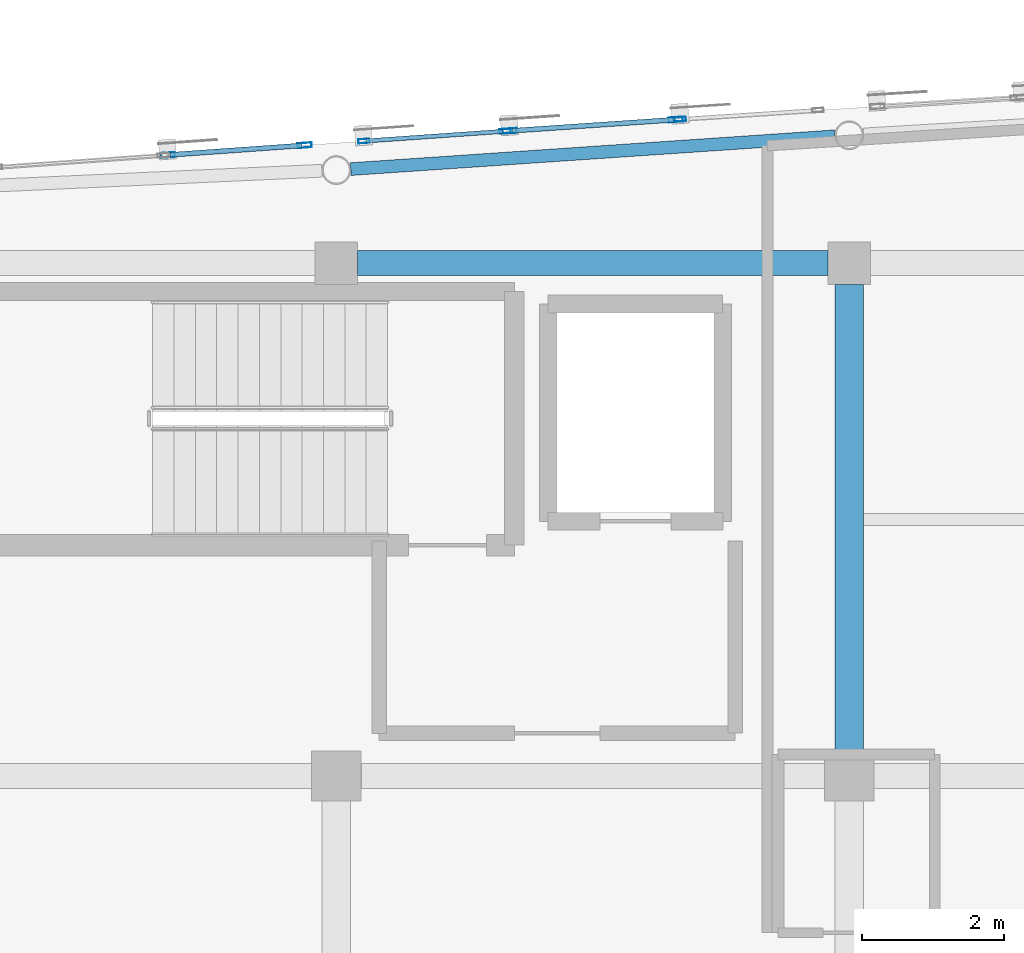
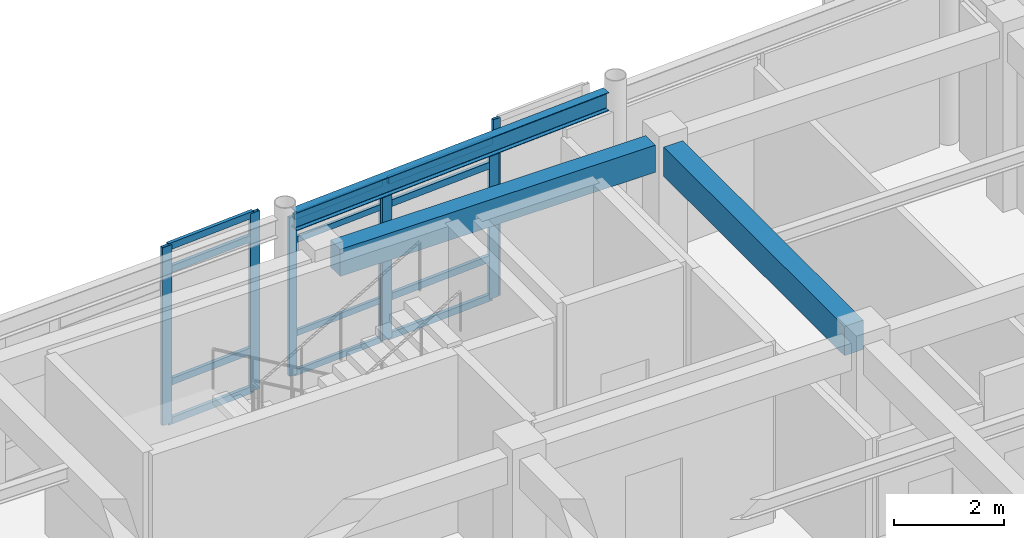
# One storey, part 41 of 113: 19 members, 3 beams, 4 elements without a shape of their own.
"""IFC4 building model written with IfcOpenShell, lengths in metres."""

from ifc_helpers import new_model, si_unit, direction, frame, origin, origin_2d, place, context, subcontext, project, spatial, rectangle, hollow_rectangle, i_section, extrude, material, layer, layer_set, material_profile, profile_set, type_object, element, aggregate, save


model = new_model("IFC4")

# Units and contexts
model_context = context("Model", 3, precision=1e-05, world=origin(), true_north=direction((0.0, 1.0)))
body_context = subcontext(model_context, "Body", "Model", "MODEL_VIEW")
ifc_project = project(units=[si_unit("LENGTHUNIT", "METRE"), si_unit("AREAUNIT", "SQUARE_METRE"), si_unit("VOLUMEUNIT", "CUBIC_METRE"), si_unit("PLANEANGLEUNIT", "RADIAN"), si_unit("MASSUNIT", "GRAM", prefix="KILO")], contexts=[model_context])

# Site, building, storey
site_placement = place(None, origin())
site = spatial("IfcSite", under=ifc_project, at=site_placement, CompositionType="ELEMENT")
building_placement = place(site_placement, origin())
building = spatial("IfcBuilding", under=site, at=building_placement, Name="Carrowvane Square Congress Hotel", CompositionType="ELEMENT")
storey_placement = place(building_placement, frame((0.0, 0.0, 15.0)))
storey = spatial("IfcBuildingStorey", under=building, at=storey_placement, Name="L03", CompositionType="ELEMENT", Elevation=15.0)

# Beams
ifc_material_1 = material(Name="Concrete C35/45", Category="concrete")
ifc_material_profile_1 = material_profile(ifc_material_1, rectangle(XDim=0.35009765625, YDim=0.60009765625, at=origin_2d()), Name="RC 350x600")
ifc_profile_set_1 = profile_set([ifc_material_profile_1], Name="Concrete C35/45")
beam_type_1 = type_object("IfcBeamType", Name="BM-RC-350x600", PredefinedType="BEAM", material=ifc_profile_set_1)
beam_1_placement = place(storey_placement, frame((62.300048828125, 113.39990234375, 3.639892578125), z_axis=(1.0, 0.0, 0.0), x_axis=(0.0, 1.0, 0.0)))
element("IfcBeam", 1, at=beam_1_placement, inside=storey, type_object=beam_type_1, Name="L04 girder R/8-9", PredefinedType="BEAM", context=body_context, shape_type="SweptSolid", body=[
    extrude(rectangle(XDim=0.35009765625, YDim=0.60009765625, at=origin_2d()), origin(), (0.0, 0.0, 1.0), 6.599853515625),
])
ifc_material_2 = material(Name="Concrete C35/45", Category="concrete")
ifc_material_profile_2 = material_profile(ifc_material_2, rectangle(XDim=0.39990234375, YDim=0.64990234375, at=origin_2d()), Name="RC 400x650")
ifc_profile_set_2 = profile_set([ifc_material_profile_2], Name="Concrete C35/45")
beam_type_2 = type_object("IfcBeamType", Name="BM-RC-400x650", PredefinedType="BEAM", material=ifc_profile_set_2)
beam_2_placement = place(storey_placement, frame((69.199951171875, 106.550048828125, 3.614990234375), z_axis=(0.0, 1.0, 0.0), x_axis=(-1.0, 0.0, 0.0)))
element("IfcBeam", 2, at=beam_2_placement, inside=storey, type_object=beam_type_2, Name="L04 girder 9/Q-R", PredefinedType="BEAM", context=body_context, shape_type="SweptSolid", body=[
    extrude(rectangle(XDim=0.39990234375, YDim=0.64990234375, at=origin_2d()), origin(), (0.0, 0.0, 1.0), 6.550048828125),
])
ifc_material_3 = material(Name="Steel S355", Category="steel")
ifc_material_profile_3 = material_profile(ifc_material_3, i_section(OverallWidth=0.1787109375, OverallDepth=0.409423828125, WebThickness=0.0087890625, FlangeThickness=0.014404296875, FilletRadius=0.01025390625, at=origin_2d()), Name="UKB 406x178x67")
ifc_profile_set_3 = profile_set([ifc_material_profile_3], Name="Steel S355")
beam_type_3 = type_object("IfcBeamType", Name="BM-ST-UKB406", PredefinedType="BEAM", material=ifc_profile_set_3)
beam_3_placement = place(storey_placement, frame((62.20263671875, 114.7197265625, 3.7353515625), z_axis=(0.997706912919, 0.067682463857, 0.0), x_axis=(-0.067682463857, 0.997706912919, 0.0)))
element("IfcBeam", 3, at=beam_3_placement, inside=storey, type_object=beam_type_3, Name="L04 curved north spandrel", PredefinedType="BEAM", context=body_context, shape_type="SweptSolid", body=[
    extrude(i_section(OverallWidth=0.1787109375, OverallDepth=0.409423828125, WebThickness=0.0087890625, FlangeThickness=0.014404296875, FilletRadius=0.01025390625, at=origin_2d()), origin(), (0.0, 0.0, 1.0), 6.810302734375),
])

# Curtain wall, members
ifc_material_4 = material(Name="Anodised aluminium", Category="aluminium")
ifc_layer_1 = layer(ifc_material_4, 0.18603515625)
ifc_layer_set_1 = layer_set([ifc_layer_1], Name="Anodised aluminium")
curtain_wall_type_1 = type_object("IfcCurtainWallType", Name="CW-SYS-3", PredefinedType="NOTDEFINED", material=ifc_layer_set_1)
curtain_wall_1_placement = place(storey_placement, origin())
curtain_wall_1 = element("IfcCurtainWall", 4, at=curtain_wall_1_placement, inside=storey, type_object=curtain_wall_type_1, Name="L03 unitised curtain wall 202", PredefinedType="NOTDEFINED")
ifc_material_5 = material(Name="Anodised aluminium", Category="aluminium")
ifc_material_profile_4 = material_profile(ifc_material_5, hollow_rectangle(XDim=0.06005859375, YDim=0.159912109375, WallThickness=0.00390625, at=origin_2d()), Name="CW-ML 60x160x4")
ifc_profile_set_4 = profile_set([ifc_material_profile_4], Name="Anodised aluminium")
member_type_1 = type_object("IfcMemberType", Name="CW-MUL-1", PredefinedType="MULLION", material=ifc_profile_set_4)
member_1_placement = place(storey_placement, frame((62.38720703125, 115.113037109375, 0.0), z_axis=(0.0, 0.0, 1.0), x_axis=(-0.069723822092, 0.997566332949, 0.0)))
member_1 = element("IfcMember", 5, at=member_1_placement, type_object=member_type_1, Name="CW-3 mullion 1", PredefinedType="MULLION", context=body_context, shape_type="SweptSolid", body=[
    extrude(hollow_rectangle(XDim=0.06005859375, YDim=0.159912109375, WallThickness=0.00390625, at=origin_2d()), origin(), (0.0, 0.0, 1.0), 3.515625),
])
member_2_placement = place(storey_placement, frame((64.3701171875, 115.251708984375, 0.0), z_axis=(0.0, 0.0, 1.0), x_axis=(-0.069723822092, 0.997566332949, 0.0)))
member_2 = element("IfcMember", 6, at=member_2_placement, type_object=member_type_1, Name="CW-3 mullion 2", PredefinedType="MULLION", context=body_context, shape_type="SweptSolid", body=[
    extrude(hollow_rectangle(XDim=0.06005859375, YDim=0.159912109375, WallThickness=0.00390625, at=origin_2d()), origin(), (0.0, 0.0, 1.0), 3.515625),
])

# Curtain wall, member
ifc_material_6 = material(Name="Anodised aluminium", Category="aluminium")
ifc_layer_2 = layer(ifc_material_6, 0.2099609375)
ifc_layer_set_2 = layer_set([ifc_layer_2], Name="Anodised aluminium")
curtain_wall_type_2 = type_object("IfcCurtainWallType", Name="CW-SYS-5", PredefinedType="NOTDEFINED", material=ifc_layer_set_2)
curtain_wall_2_placement = place(storey_placement, origin())
curtain_wall_2 = element("IfcCurtainWall", 7, at=curtain_wall_2_placement, inside=storey, type_object=curtain_wall_type_2, Name="L03 unitised curtain wall 204", PredefinedType="NOTDEFINED")
member_3_placement = place(storey_placement, frame((66.829833984375, 115.4189453125, 0.0), z_axis=(0.0, 0.0, 1.0), x_axis=(-0.065412223074, 0.997858327155, 0.0)))
member_3 = element("IfcMember", 8, at=member_3_placement, type_object=member_type_1, Name="CW-5 mullion 1", PredefinedType="MULLION", context=body_context, shape_type="SweptSolid", body=[
    extrude(hollow_rectangle(XDim=0.06005859375, YDim=0.159912109375, WallThickness=0.00390625, at=origin_2d()), origin(), (0.0, 0.0, 1.0), 3.93994140625),
])
aggregate(curtain_wall_2, [member_3])

# Curtain wall, members
ifc_material_7 = material(Name="Anodised aluminium", Category="aluminium")
ifc_layer_3 = layer(ifc_material_7, 0.174072265625)
ifc_layer_set_3 = layer_set([ifc_layer_3], Name="Anodised aluminium")
curtain_wall_type_3 = type_object("IfcCurtainWallType", Name="CW-SYS-2", PredefinedType="NOTDEFINED", material=ifc_layer_set_3)
curtain_wall_3_placement = place(storey_placement, origin())
curtain_wall_3 = element("IfcCurtainWall", 9, at=curtain_wall_3_placement, inside=storey, type_object=curtain_wall_type_3, Name="L03 unitised curtain wall 201", PredefinedType="NOTDEFINED")
ifc_material_8 = material(Name="Anodised aluminium", Category="aluminium")
ifc_material_profile_5 = material_profile(ifc_material_8, hollow_rectangle(XDim=0.070068359375, YDim=0.199951171875, WallThickness=0.0048828125, at=origin_2d()), Name="CW-ML 70x200x5")
ifc_profile_set_5 = profile_set([ifc_material_profile_5], Name="Anodised aluminium")
member_type_2 = type_object("IfcMemberType", Name="CW-MUL-2", PredefinedType="MULLION", material=ifc_profile_set_5)
member_4_placement = place(storey_placement, frame((59.635009765625, 114.917724609375, 0.0), z_axis=(0.0, 0.0, 1.0), x_axis=(-0.070960217342, 0.997479146426, 0.0)))
member_4 = element("IfcMember", 10, at=member_4_placement, type_object=member_type_2, Name="CW-2 mullion 1", PredefinedType="MULLION", context=body_context, shape_type="SweptSolid", body=[
    extrude(hollow_rectangle(XDim=0.070068359375, YDim=0.199951171875, WallThickness=0.0048828125, at=origin_2d()), origin(), (0.0, 0.0, 1.0), 3.93994140625),
])
member_5_placement = place(storey_placement, frame((61.554443359375, 115.05419921875, 0.0), z_axis=(0.0, 0.0, 1.0), x_axis=(-0.070960217342, 0.997479146426, 0.0)))
member_5 = element("IfcMember", 11, at=member_5_placement, type_object=member_type_2, Name="CW-2 mullion 2", PredefinedType="MULLION", context=body_context, shape_type="SweptSolid", body=[
    extrude(hollow_rectangle(XDim=0.070068359375, YDim=0.199951171875, WallThickness=0.0048828125, at=origin_2d()), origin(), (0.0, 0.0, 1.0), 3.93994140625),
])

ifc_material_9 = material(Name="Anodised aluminium", Category="aluminium")
ifc_layer_4 = layer(ifc_material_9, 0.197998046875)
ifc_layer_set_4 = layer_set([ifc_layer_4], Name="Anodised aluminium")
curtain_wall_type_4 = type_object("IfcCurtainWallType", Name="CW-SYS-4", PredefinedType="NOTDEFINED", material=ifc_layer_set_4)
curtain_wall_4_placement = place(storey_placement, origin())
curtain_wall_4 = element("IfcCurtainWall", 12, at=curtain_wall_4_placement, inside=storey, type_object=curtain_wall_type_4, Name="L03 unitised curtain wall 203", PredefinedType="NOTDEFINED")
member_6_placement = place(storey_placement, frame((64.434814453125, 115.256103515625, 0.0), z_axis=(0.0, 0.0, 1.0), x_axis=(-0.067865424104, 0.997694484404, 0.0)))
member_6 = element("IfcMember", 13, at=member_6_placement, type_object=member_type_2, Name="CW-4 mullion 1", PredefinedType="MULLION", context=body_context, shape_type="SweptSolid", body=[
    extrude(hollow_rectangle(XDim=0.070068359375, YDim=0.199951171875, WallThickness=0.0048828125, at=origin_2d()), origin(), (0.0, 0.0, 1.0), 3.515625),
])
member_7_placement = place(storey_placement, frame((66.76513671875, 115.41455078125, 0.0), z_axis=(0.0, 0.0, 1.0), x_axis=(-0.067865424104, 0.997694484404, 0.0)))
member_7 = element("IfcMember", 14, at=member_7_placement, type_object=member_type_2, Name="CW-4 mullion 2", PredefinedType="MULLION", context=body_context, shape_type="SweptSolid", body=[
    extrude(hollow_rectangle(XDim=0.070068359375, YDim=0.199951171875, WallThickness=0.0048828125, at=origin_2d()), origin(), (0.0, 0.0, 1.0), 3.515625),
])

# Member
ifc_material_10 = material(Name="Anodised aluminium", Category="aluminium")
ifc_material_profile_6 = material_profile(ifc_material_10, hollow_rectangle(XDim=0.06005859375, YDim=0.1298828125, WallThickness=0.00390625, at=origin_2d()), Name="CW-TR 60x130x4")
ifc_profile_set_6 = profile_set([ifc_material_profile_6], Name="Anodised aluminium")
member_type_3 = type_object("IfcMemberType", Name="CW-TRN-1", PredefinedType="USERDEFINED", material=ifc_profile_set_6)
member_8_placement = place(storey_placement, frame((62.4169921875, 115.115234375, 0.030029296875), z_axis=(0.997571214092, 0.069653950457, 0.0), x_axis=(-0.069653950457, 0.997571214092, 0.0)))
member_8 = element("IfcMember", 15, at=member_8_placement, type_object=member_type_3, Name="CW-3 transom 1.1", ObjectType="TRANSOM", PredefinedType="USERDEFINED", context=body_context, shape_type="SweptSolid", body=[
    extrude(hollow_rectangle(XDim=0.06005859375, YDim=0.1298828125, WallThickness=0.00390625, at=origin_2d()), origin(), (0.0, 0.0, 1.0), 1.927734375),
])

member_9_placement = place(storey_placement, frame((62.4169921875, 115.115234375, 0.89990234375), z_axis=(0.997571214092, 0.069653950457, 0.0), x_axis=(-0.069653950457, 0.997571214092, 0.0)))
member_9 = element("IfcMember", 16, at=member_9_placement, type_object=member_type_3, Name="CW-3 transom 1.2", ObjectType="TRANSOM", PredefinedType="USERDEFINED", context=body_context, shape_type="SweptSolid", body=[
    extrude(hollow_rectangle(XDim=0.06005859375, YDim=0.1298828125, WallThickness=0.00390625, at=origin_2d()), origin(), (0.0, 0.0, 1.0), 1.927734375),
])

member_10_placement = place(storey_placement, frame((62.4169921875, 115.115234375, 2.965576171875), z_axis=(0.997571214092, 0.069653950457, 0.0), x_axis=(-0.069653950457, 0.997571214092, 0.0)))
member_10 = element("IfcMember", 17, at=member_10_placement, type_object=member_type_3, Name="CW-3 transom 1.3", ObjectType="TRANSOM", PredefinedType="USERDEFINED", context=body_context, shape_type="SweptSolid", body=[
    extrude(hollow_rectangle(XDim=0.06005859375, YDim=0.1298828125, WallThickness=0.00390625, at=origin_2d()), origin(), (0.0, 0.0, 1.0), 1.927734375),
])

member_11_placement = place(storey_placement, frame((62.4169921875, 115.115234375, 3.485595703125), z_axis=(0.997571214092, 0.069653950457, 0.0), x_axis=(-0.069653950457, 0.997571214092, 0.0)))
member_11 = element("IfcMember", 18, at=member_11_placement, type_object=member_type_3, Name="CW-3 transom 1.4", ObjectType="TRANSOM", PredefinedType="USERDEFINED", context=body_context, shape_type="SweptSolid", body=[
    extrude(hollow_rectangle(XDim=0.06005859375, YDim=0.1298828125, WallThickness=0.00390625, at=origin_2d()), origin(), (0.0, 0.0, 1.0), 1.927734375),
])

aggregate(curtain_wall_1, [member_1, member_2, member_8, member_9, member_10, member_11])

ifc_material_11 = material(Name="Anodised aluminium", Category="aluminium")
ifc_material_profile_7 = material_profile(ifc_material_11, hollow_rectangle(XDim=0.070068359375, YDim=0.14990234375, WallThickness=0.0048828125, at=origin_2d()), Name="CW-TR 70x150x5")
ifc_profile_set_7 = profile_set([ifc_material_profile_7], Name="Anodised aluminium")
member_type_4 = type_object("IfcMemberType", Name="CW-TRN-2", PredefinedType="USERDEFINED", material=ifc_profile_set_7)
member_12_placement = place(storey_placement, frame((59.669921875, 114.920166015625, 0.034912109375), z_axis=(0.997478710533, 0.070966344374, 0.0), x_axis=(-0.070966344374, 0.997478710533, 0.0)))
member_12 = element("IfcMember", 19, at=member_12_placement, type_object=member_type_4, Name="CW-2 transom 1.1", ObjectType="TRANSOM", PredefinedType="USERDEFINED", context=body_context, shape_type="SweptSolid", body=[
    extrude(hollow_rectangle(XDim=0.070068359375, YDim=0.14990234375, WallThickness=0.0048828125, at=origin_2d()), origin(), (0.0, 0.0, 1.0), 1.854248046875),
])

member_13_placement = place(storey_placement, frame((59.669921875, 114.920166015625, 0.89990234375), z_axis=(0.997478710533, 0.070966344374, 0.0), x_axis=(-0.070966344374, 0.997478710533, 0.0)))
member_13 = element("IfcMember", 20, at=member_13_placement, type_object=member_type_4, Name="CW-2 transom 1.2", ObjectType="TRANSOM", PredefinedType="USERDEFINED", context=body_context, shape_type="SweptSolid", body=[
    extrude(hollow_rectangle(XDim=0.070068359375, YDim=0.14990234375, WallThickness=0.0048828125, at=origin_2d()), origin(), (0.0, 0.0, 1.0), 1.854248046875),
])

member_14_placement = place(storey_placement, frame((59.669921875, 114.920166015625, 3.389892578125), z_axis=(0.997478710533, 0.070966344374, 0.0), x_axis=(-0.070966344374, 0.997478710533, 0.0)))
member_14 = element("IfcMember", 21, at=member_14_placement, type_object=member_type_4, Name="CW-2 transom 1.3", ObjectType="TRANSOM", PredefinedType="USERDEFINED", context=body_context, shape_type="SweptSolid", body=[
    extrude(hollow_rectangle(XDim=0.070068359375, YDim=0.14990234375, WallThickness=0.0048828125, at=origin_2d()), origin(), (0.0, 0.0, 1.0), 1.854248046875),
])

member_15_placement = place(storey_placement, frame((59.669921875, 114.920166015625, 3.905029296875), z_axis=(0.997478710533, 0.070966344374, 0.0), x_axis=(-0.070966344374, 0.997478710533, 0.0)))
member_15 = element("IfcMember", 22, at=member_15_placement, type_object=member_type_4, Name="CW-2 transom 1.4", ObjectType="TRANSOM", PredefinedType="USERDEFINED", context=body_context, shape_type="SweptSolid", body=[
    extrude(hollow_rectangle(XDim=0.070068359375, YDim=0.14990234375, WallThickness=0.0048828125, at=origin_2d()), origin(), (0.0, 0.0, 1.0), 1.854248046875),
])

aggregate(curtain_wall_3, [member_4, member_5, member_12, member_13, member_14, member_15])

member_16_placement = place(storey_placement, frame((64.4697265625, 115.258544921875, 0.034912109375), z_axis=(0.997700448763, 0.067777684661, 0.0), x_axis=(-0.067777684661, 0.997700448763, 0.0)))
member_16 = element("IfcMember", 23, at=member_16_placement, type_object=member_type_4, Name="CW-4 transom 1.1", ObjectType="TRANSOM", PredefinedType="USERDEFINED", context=body_context, shape_type="SweptSolid", body=[
    extrude(hollow_rectangle(XDim=0.070068359375, YDim=0.14990234375, WallThickness=0.0048828125, at=origin_2d()), origin(), (0.0, 0.0, 1.0), 2.265625),
])

member_17_placement = place(storey_placement, frame((64.4697265625, 115.258544921875, 0.89990234375), z_axis=(0.997700448763, 0.067777684661, 0.0), x_axis=(-0.067777684661, 0.997700448763, 0.0)))
member_17 = element("IfcMember", 24, at=member_17_placement, type_object=member_type_4, Name="CW-4 transom 1.2", ObjectType="TRANSOM", PredefinedType="USERDEFINED", context=body_context, shape_type="SweptSolid", body=[
    extrude(hollow_rectangle(XDim=0.070068359375, YDim=0.14990234375, WallThickness=0.0048828125, at=origin_2d()), origin(), (0.0, 0.0, 1.0), 2.265625),
])

member_18_placement = place(storey_placement, frame((64.4697265625, 115.258544921875, 2.965576171875), z_axis=(0.997700448763, 0.067777684661, 0.0), x_axis=(-0.067777684661, 0.997700448763, 0.0)))
member_18 = element("IfcMember", 25, at=member_18_placement, type_object=member_type_4, Name="CW-4 transom 1.3", ObjectType="TRANSOM", PredefinedType="USERDEFINED", context=body_context, shape_type="SweptSolid", body=[
    extrude(hollow_rectangle(XDim=0.070068359375, YDim=0.14990234375, WallThickness=0.0048828125, at=origin_2d()), origin(), (0.0, 0.0, 1.0), 2.265625),
])

member_19_placement = place(storey_placement, frame((64.4697265625, 115.258544921875, 3.480712890625), z_axis=(0.997700448763, 0.067777684661, 0.0), x_axis=(-0.067777684661, 0.997700448763, 0.0)))
member_19 = element("IfcMember", 26, at=member_19_placement, type_object=member_type_4, Name="CW-4 transom 1.4", ObjectType="TRANSOM", PredefinedType="USERDEFINED", context=body_context, shape_type="SweptSolid", body=[
    extrude(hollow_rectangle(XDim=0.070068359375, YDim=0.14990234375, WallThickness=0.0048828125, at=origin_2d()), origin(), (0.0, 0.0, 1.0), 2.265625),
])

aggregate(curtain_wall_4, [member_6, member_7, member_16, member_17, member_18, member_19])

save(model, "model.ifc")
